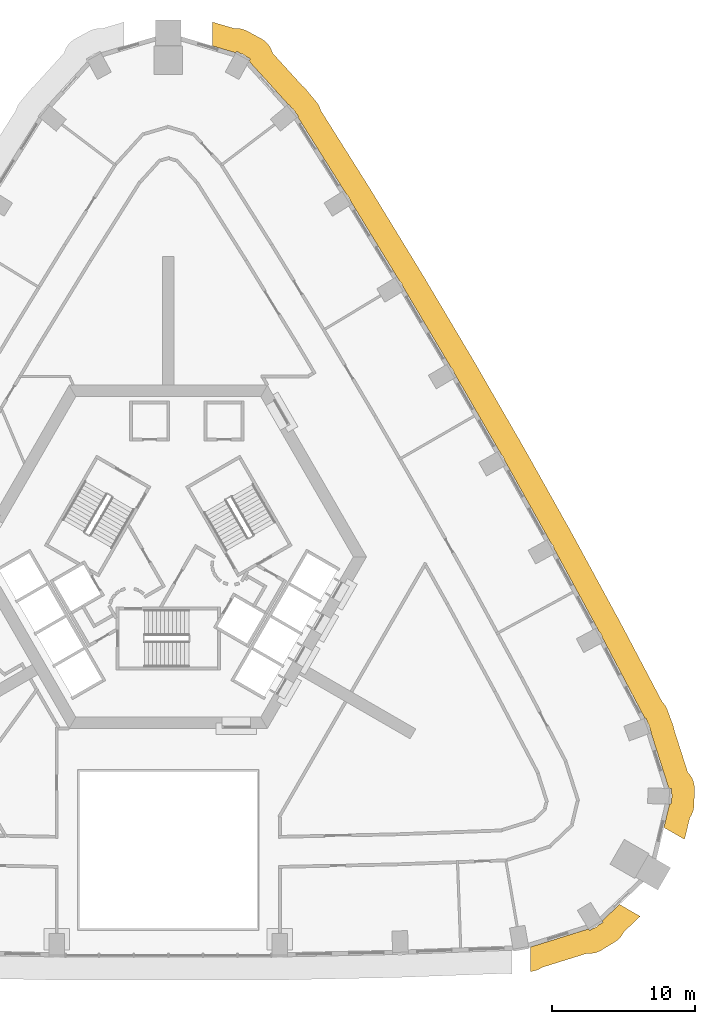
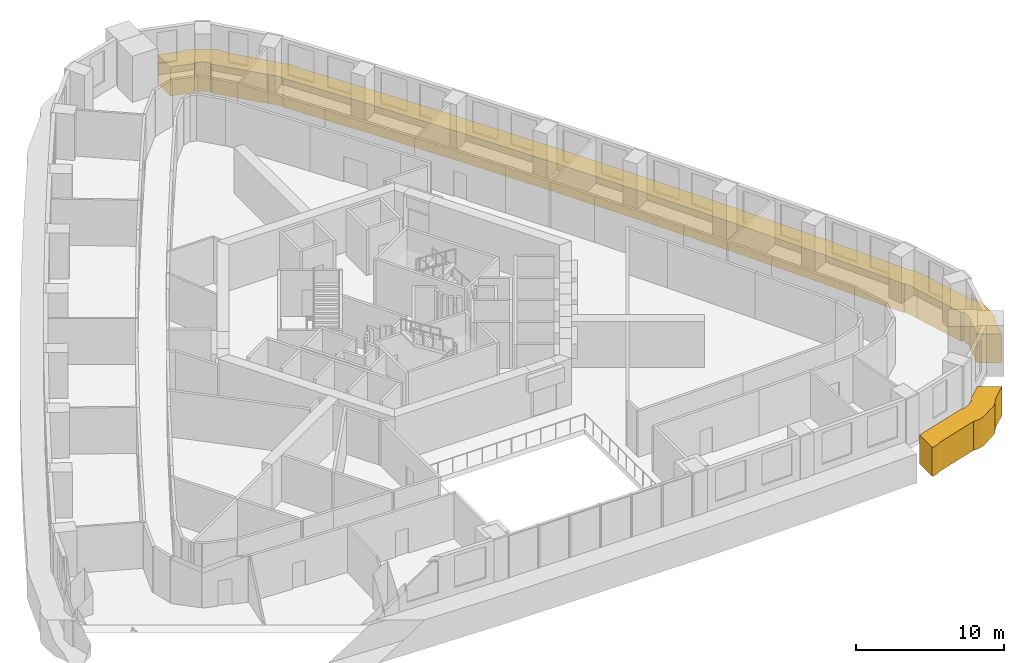
# One storey, part 17 of 17: 2 coverings.
"""IFC4 building model written with IfcOpenShell, lengths in metres."""

from ifc_helpers import new_model, si_unit, direction, frame, origin, place, context, subcontext, project, spatial, polyline, outline, extrude, material, type_object, element, save


model = new_model("IFC4")

# Units and contexts
model_context = context("Model", 3, precision=1e-05, world=origin(), true_north=direction((0.0, 1.0)))
body_context = subcontext(model_context, "Body", "Model", "MODEL_VIEW")
ifc_project = project(units=[si_unit("LENGTHUNIT", "METRE"), si_unit("AREAUNIT", "SQUARE_METRE"), si_unit("VOLUMEUNIT", "CUBIC_METRE"), si_unit("PLANEANGLEUNIT", "RADIAN"), si_unit("MASSUNIT", "GRAM", prefix="KILO")], contexts=[model_context])

# Site, building, storey
site_placement = place(None, origin())
site = spatial("IfcSite", under=ifc_project, at=site_placement, CompositionType="ELEMENT")
building_placement = place(site_placement, origin())
building = spatial("IfcBuilding", under=site, at=building_placement, Name="Entoto Arch Interchange Tower", CompositionType="ELEMENT")
storey_placement = place(building_placement, frame((0.0, 0.0, 167.60009765625)))
storey = spatial("IfcBuildingStorey", under=building, at=storey_placement, Name="L37", CompositionType="ELEMENT", Elevation=167.60009765625)

# Coverings
ifc_material = material(Name="Board-marked precast concrete C50/60", Category="concrete")
covering_type = type_object("IfcCoveringType", Name="PRECAST FRAME COURSE", PredefinedType="CLADDING", material=ifc_material)
covering_1_placement = place(storey_placement, frame((0.0, 0.0, -2.10009765625)))
element("IfcCovering", 1, at=covering_1_placement, inside=storey, type_object=covering_type, Name="Slab edge fin L37", PredefinedType="CLADDING", context=body_context, shape_type="SweptSolid", body=[
    extrude(outline(polyline([(4.94091796875, 39.43408203125), (5.095947265625, 39.409912109375), (5.248046875, 39.3701171875), (5.39501953125, 39.31591796875), (5.537109375, 39.248046875), (6.501953125, 38.720947265625), (6.635986328125, 38.638916015625), (6.760986328125, 38.544921875), (6.876953125, 38.43798828125), (6.98095703125, 38.321044921875), (7.073974609375, 38.194091796875), (7.153076171875, 38.05908203125), (7.218994140625, 37.916015625), (7.27099609375, 37.76806640625), (7.281005859375, 37.72705078125), (9.386962890625, 35.406005859375), (9.408935546875, 35.389892578125), (9.52587890625, 35.284912109375), (9.632080078125, 35.169921875), (10.3349609375, 34.322998046875), (10.428955078125, 34.197998046875), (10.510986328125, 34.06396484375), (10.5791015625, 33.922119140625), (10.633056640625, 33.77490234375), (10.64697265625, 33.718994140625), (13.616943359375, 29.0009765625), (13.64404296875, 28.962890625), (14.22705078125, 28.030029296875), (14.235107421875, 28.01708984375), (17.31591796875, 22.97412109375), (17.35009765625, 22.923095703125), (17.919921875, 21.98193359375), (17.927001953125, 21.969970703125), (20.93701171875, 16.89794921875), (20.97705078125, 16.8369140625), (21.532958984375, 15.887939453125), (21.5390625, 15.8779296875), (24.47900390625, 10.778076171875), (24.52490234375, 10.705078125), (25.069091796875, 9.748046875), (25.073974609375, 9.739013671875), (27.94189453125, 4.617919921875), (27.9970703125, 4.528076171875), (28.527099609375, 3.56396484375), (28.531005859375, 3.556884765625), (31.327880859375, -1.593994140625), (31.387939453125, -1.695068359375), (31.905029296875, -2.666015625), (31.907958984375, -2.672119140625), (34.52490234375, -7.637939453125), (34.56591796875, -7.677978515625), (34.6669921875, -7.799072265625), (34.7548828125, -7.927978515625), (34.8310546875, -8.06591796875), (34.89208984375, -8.2109375), (35.27294921875, -9.241943359375), (35.321044921875, -9.39208984375), (35.35302734375, -9.5458984375), (35.35595703125, -9.573974609375), (36.31201171875, -12.55810546875), (36.343017578125, -12.5869140625), (36.445068359375, -12.7060546875), (36.535888671875, -12.8349609375), (36.613037109375, -12.970947265625), (36.677001953125, -13.114990234375), (36.72607421875, -13.263916015625), (36.760986328125, -13.4169921875), (36.780029296875, -13.572998046875), (36.783935546875, -13.72998046875), (36.757080078125, -14.8291015625), (36.74609375, -14.986083984375), (36.718994140625, -15.14111328125), (36.677001953125, -15.2919921875), (36.62109375, -15.43896484375), (36.550048828125, -15.5791015625), (36.466064453125, -15.7119140625), (36.4609375, -15.718017578125), (36.092041015625, -17.2509765625), (34.64697265625, -16.4169921875), (35.0390625, -14.7880859375), (35.157958984375, -14.791015625), (35.1650390625, -14.492919921875), (35.166015625, -14.489990234375), (35.18798828125, -14.40087890625), (35.201904296875, -14.31103515625), (35.2060546875, -14.218994140625), (35.201904296875, -14.126953125), (35.18798828125, -14.037109375), (35.177001953125, -13.991943359375), (35.18408203125, -13.69091796875), (35.0400390625, -13.68798828125), (34.993896484375, -13.6259765625), (34.962890625, -13.592041015625), (33.75, -9.804931640625), (33.77294921875, -9.797119140625), (33.6689453125, -9.51708984375), (33.6689453125, -9.5009765625), (33.655029296875, -9.410888671875), (33.633056640625, -9.322021484375), (33.60205078125, -9.235107421875), (33.56298828125, -9.152099609375), (33.514892578125, -9.073974609375), (33.4951171875, -9.0458984375), (33.39111328125, -8.764892578125), (33.322998046875, -8.7900390625), (30.490966796875, -3.4189453125), (30.491943359375, -3.41796875), (30.35302734375, -3.155029296875), (30.3349609375, -3.083984375), (30.303955078125, -2.9970703125), (30.264892578125, -2.9140625), (30.217041015625, -2.8359375), (30.1630859375, -2.761962890625), (30.115966796875, -2.7099609375), (29.97607421875, -2.446044921875), (29.970947265625, -2.448974609375), (27.123046875, 2.7919921875), (27.125, 2.79296875), (26.97900390625, 3.05810546875), (26.966064453125, 3.112060546875), (26.93505859375, 3.198974609375), (26.89599609375, 3.281982421875), (26.847900390625, 3.360107421875), (26.7939453125, 3.43408203125), (26.739013671875, 3.493896484375), (26.594970703125, 3.757080078125), (26.591064453125, 3.7548828125), (23.675048828125, 8.9560546875), (23.677978515625, 8.9580078125), (23.528076171875, 9.220947265625), (23.51806640625, 9.261962890625), (23.487060546875, 9.34912109375), (23.447998046875, 9.431884765625), (23.39990234375, 9.510009765625), (23.345947265625, 9.583984375), (23.283935546875, 9.652099609375), (23.281982421875, 9.654052734375), (23.134033203125, 9.9140625), (23.131103515625, 9.912109375), (20.14990234375, 15.076904296875), (20.153076171875, 15.0791015625), (20.001953125, 15.3359375), (19.993896484375, 15.368896484375), (19.962890625, 15.4560546875), (19.924072265625, 15.5390625), (19.8759765625, 15.616943359375), (19.822021484375, 15.69091796875), (19.760009765625, 15.759033203125), (19.7470703125, 15.77099609375), (19.596923828125, 16.027099609375), (19.593994140625, 16.02587890625), (16.547119140625, 21.15087890625), (16.551025390625, 21.153076171875), (16.39599609375, 21.409912109375), (16.39111328125, 21.428955078125), (16.360107421875, 21.51611328125), (16.321044921875, 21.59912109375), (16.27294921875, 21.677001953125), (16.218994140625, 21.7509765625), (16.156982421875, 21.819091796875), (16.136962890625, 21.837890625), (15.98095703125, 22.094970703125), (15.97900390625, 22.093017578125), (12.864990234375, 27.179931640625), (12.868896484375, 27.181884765625), (12.7119140625, 27.43408203125), (12.7099609375, 27.443115234375), (12.678955078125, 27.530029296875), (12.639892578125, 27.613037109375), (12.592041015625, 27.69091796875), (12.5380859375, 27.764892578125), (12.47607421875, 27.8330078125), (12.446044921875, 27.861083984375), (12.287109375, 28.115966796875), (12.284912109375, 28.114013671875), (9.049072265625, 33.2548828125), (9.10400390625, 33.301025390625), (8.9140625, 33.531005859375), (8.885986328125, 33.590087890625), (8.837890625, 33.66796875), (8.783935546875, 33.741943359375), (8.721923828125, 33.81005859375), (8.654052734375, 33.8720703125), (8.592041015625, 33.91796875), (8.402099609375, 34.14697265625), (8.383056640625, 34.132080078125), (5.7119140625, 37.073974609375), (5.68603515625, 37.14794921875), (5.666015625, 37.18896484375), (5.736083984375, 37.31689453125), (5.47412109375, 37.458984375), (5.4150390625, 37.512939453125), (5.341064453125, 37.56689453125), (5.262939453125, 37.614990234375), (5.179931640625, 37.654052734375), (5.093017578125, 37.68505859375), (5.032958984375, 37.699951171875), (4.77001953125, 37.843017578125), (4.712890625, 37.739013671875), (3.10498046875, 38.214111328125), (3.10498046875, 39.883056640625), (4.617919921875, 39.43603515625), (4.626953125, 39.43701171875), (4.783935546875, 39.443115234375), (4.94091796875, 39.43408203125)])), origin(), (0.0, 0.0, 1.0), 2.39990234375),
])
covering_2_placement = place(storey_placement, frame((0.0, 0.0, -2.10009765625)))
element("IfcCovering", 2, at=covering_2_placement, inside=storey, type_object=covering_type, Name="Slab edge fin L37", PredefinedType="CLADDING", context=body_context, shape_type="SweptSolid", body=[
    extrude(outline(polyline([(31.680908203125, -23.99609375), (31.58203125, -24.117919921875), (31.471923828125, -24.22998046875), (31.35205078125, -24.330078125), (31.221923828125, -24.4189453125), (30.282958984375, -24.990966796875), (30.14501953125, -25.06591796875), (30.0, -25.1279296875), (29.85009765625, -25.174072265625), (29.697021484375, -25.2060546875), (29.5400390625, -25.222900390625), (29.383056640625, -25.22412109375), (29.279052734375, -25.215087890625), (26.116943359375, -26.200927734375), (26.06298828125, -26.239013671875), (25.927001953125, -26.31591796875), (25.782958984375, -26.37890625), (25.634033203125, -26.427978515625), (25.47998046875, -26.4619140625), (25.319091796875, -26.489013671875), (25.319091796875, -24.77392578125), (29.3779296875, -23.508056640625), (29.448974609375, -23.625), (29.7041015625, -23.469970703125), (29.720947265625, -23.466064453125), (29.80810546875, -23.43505859375), (29.89111328125, -23.39599609375), (29.968994140625, -23.347900390625), (30.04296875, -23.2939453125), (30.111083984375, -23.23193359375), (30.132080078125, -23.208984375), (30.388916015625, -23.052978515625), (30.326904296875, -22.950927734375), (31.54296875, -21.7958984375), (32.987060546875, -22.6298828125), (31.843994140625, -23.717041015625), (31.840087890625, -23.72509765625), (31.76708984375, -23.864013671875), (31.680908203125, -23.99609375)])), origin(), (0.0, 0.0, 1.0), 2.39990234375),
])

save(model, "model.ifc")
